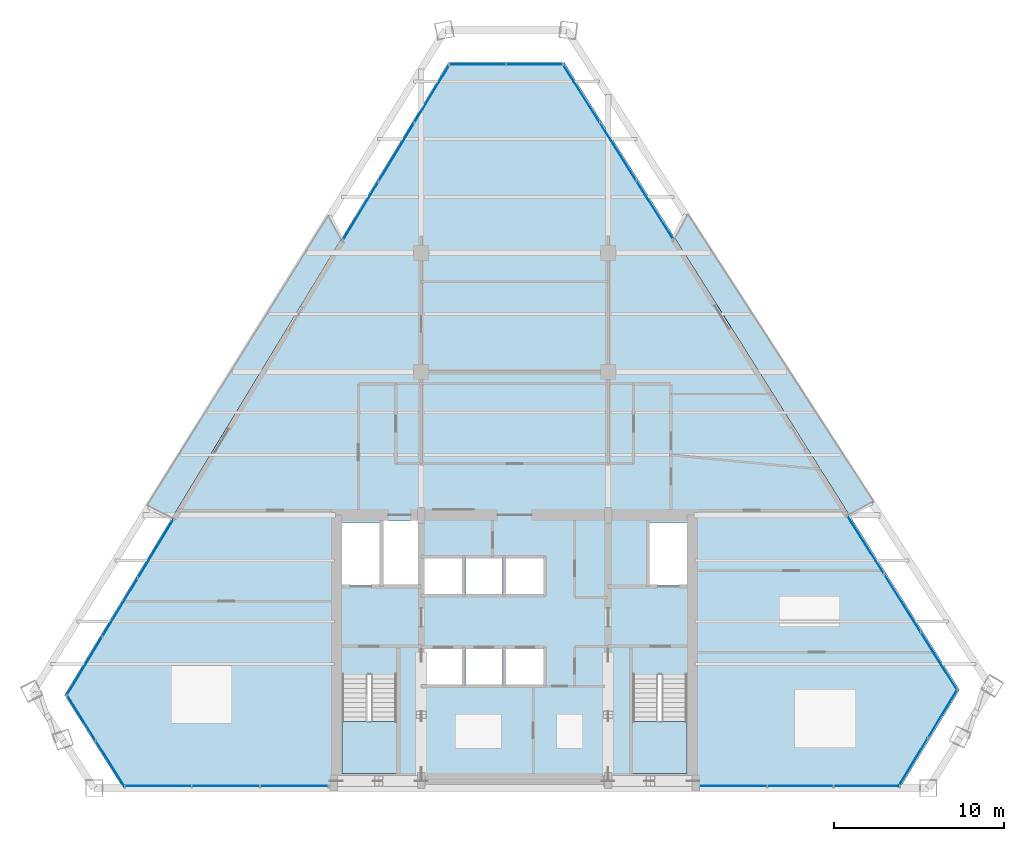
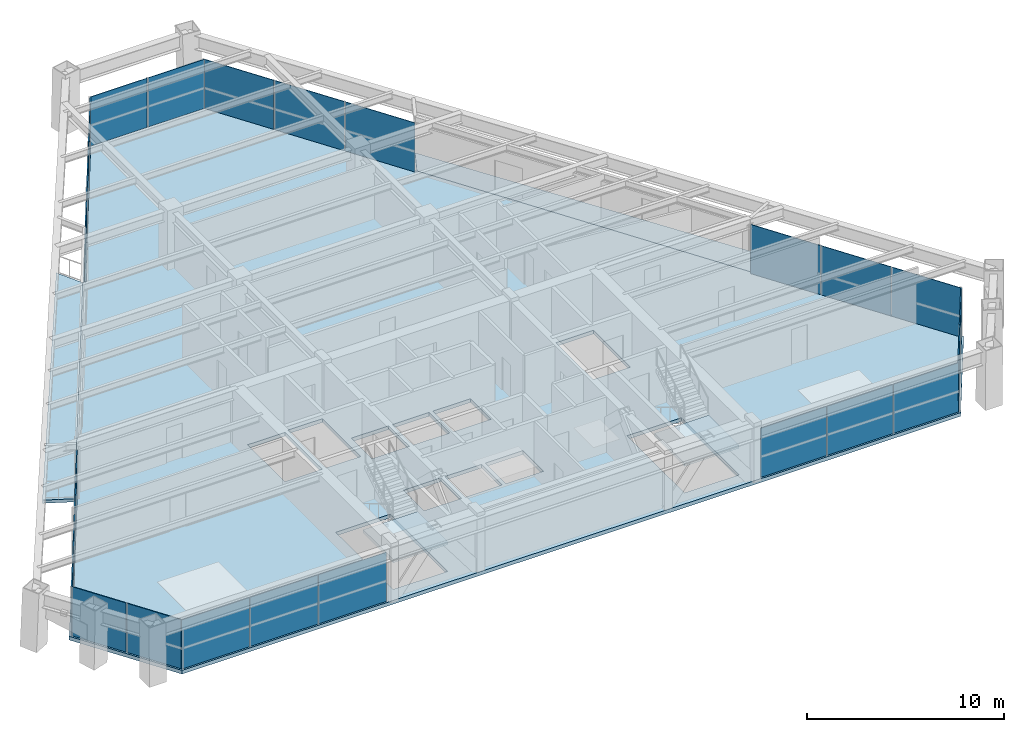
# One storey, part 7 of 12: 24 plates, 5 slabs, 11 elements without a shape of their own.
"""IFC4 building model written with IfcOpenShell, lengths in metres."""

from ifc_helpers import new_model, si_unit, direction, frame, origin, origin_2d, place, context, subcontext, project, spatial, polyline, rectangle, outline, extrude, source, transform, mapped, material, layer, layer_set, type_object, element, aggregate, save


model = new_model("IFC4")

# Units and contexts
model_context = context("Model", 3, precision=1e-05, world=origin(), true_north=direction((0.0, 1.0)))
body_context = subcontext(model_context, "Body", "Model", "MODEL_VIEW")
ifc_project = project(units=[si_unit("LENGTHUNIT", "METRE"), si_unit("AREAUNIT", "SQUARE_METRE"), si_unit("VOLUMEUNIT", "CUBIC_METRE"), si_unit("PLANEANGLEUNIT", "RADIAN"), si_unit("MASSUNIT", "GRAM", prefix="KILO")], contexts=[model_context])

# Site, building, storey
site_placement = place(None, origin())
site = spatial("IfcSite", under=ifc_project, at=site_placement, CompositionType="ELEMENT")
building_placement = place(site_placement, origin())
building = spatial("IfcBuilding", under=site, at=building_placement, Name="Varnakhor Terracotta Tower", CompositionType="ELEMENT")
storey_placement = place(building_placement, frame((0.0, 0.0, 208.0)))
storey = spatial("IfcBuildingStorey", under=building, at=storey_placement, Name="L53", CompositionType="ELEMENT", Elevation=208.0)

# Stair, slab
ifc_material_1 = material(Name="Concrete C40/50", Category="concrete")
stair_type = type_object("IfcStairType", Name="STR-CORE-OFFICE-1500", PredefinedType="HALF_TURN_STAIR", material=ifc_material_1)
stair_1_placement = place(storey_placement, origin())
stair_1 = element("IfcStair", 1, at=stair_1_placement, inside=storey, type_object=stair_type, Name="L53 Core Exit Stair ST-1", PredefinedType="HALF_TURN_STAIR")
ifc_layer_1 = layer(ifc_material_1, 0.179931640625, Name="Concrete C40/50")
ifc_layer_set_1 = layer_set([ifc_layer_1], Name="Concrete C40/50")
slab_type_1 = type_object("IfcSlabType", Name="SLB-LANDING-180", PredefinedType="LANDING", material=ifc_layer_set_1)
slab_1_placement = place(storey_placement, frame((0.0, 0.0, 1.64990234375)))
slab_1 = element("IfcSlab", 2, at=slab_1_placement, type_object=slab_type_1, Name="ST-1 landing 1", PredefinedType="LANDING", context=body_context, shape_type="SweptSolid", body=[
    extrude(outline(polyline([(-10.14990234375, 3.909912109375), (-10.14990234375, 0.85009765625), (-6.949951171875, 0.85009765625), (-6.949951171875, 3.909912109375), (-10.14990234375, 3.909912109375)])), origin(), (0.0, 0.0, 1.0), 0.2001953125),
])
aggregate(stair_1, [slab_1])

stair_2_placement = place(storey_placement, origin())
stair_2 = element("IfcStair", 3, at=stair_2_placement, inside=storey, type_object=stair_type, Name="L53 Core Exit Stair ST-2", PredefinedType="HALF_TURN_STAIR")
slab_2_placement = place(storey_placement, frame((0.0, 0.0, 1.64990234375)))
slab_2 = element("IfcSlab", 4, at=slab_2_placement, type_object=slab_type_1, Name="ST-2 landing 1", PredefinedType="LANDING", context=body_context, shape_type="SweptSolid", body=[
    extrude(outline(polyline([(6.949951171875, 3.909912109375), (6.949951171875, 0.85009765625), (10.14990234375, 0.85009765625), (10.14990234375, 3.909912109375), (6.949951171875, 3.909912109375)])), origin(), (0.0, 0.0, 1.0), 0.2001953125),
])
aggregate(stair_2, [slab_2])

# Slabs
ifc_layer_2 = layer(ifc_material_1, 0.195068359375, Name="Concrete C40/50")
ifc_layer_set_2 = layer_set([ifc_layer_2], Name="Concrete C40/50")
slab_type_2 = type_object("IfcSlabType", Name="SLB-LOGGIA-EXT-195", PredefinedType="FLOOR", material=ifc_layer_set_2)
slab_3_placement = place(storey_placement, frame((0.0, 0.0, -0.195068359375)))
element("IfcSlab", 5, at=slab_3_placement, inside=storey, type_object=slab_type_2, Name="L53 E Recessed Outdoor Loggia Slab", PredefinedType="FLOOR", context=body_context, shape_type="SweptSolid", body=[
    extrude(outline(polyline([(10.15966796875, 33.80908203125), (21.13330078125, 16.84033203125), (19.668701171875, 16.12158203125), (9.436279296875, 32.3662109375), (10.15966796875, 33.80908203125)])), origin(), (0.0, 0.0, 1.0), 0.195068359375),
])
slab_4_placement = place(storey_placement, frame((0.0, 0.0, -0.195068359375)))
element("IfcSlab", 6, at=slab_4_placement, inside=storey, type_object=slab_type_2, Name="L53 W Recessed Outdoor Loggia Slab", PredefinedType="FLOOR", context=body_context, shape_type="SweptSolid", body=[
    extrude(outline(polyline([(-21.642333984375, 16.614990234375), (-10.953857421875, 33.7216796875), (-10.226806640625, 32.2822265625), (-12.91796875, 27.848876953125), (-20.16796875, 15.906005859375), (-21.642333984375, 16.614990234375)])), origin(), (0.0, 0.0, 1.0), 0.195068359375),
])
ifc_layer_3 = layer(ifc_material_1, 0.22998046875, Name="Concrete C40/50")
ifc_layer_set_3 = layer_set([ifc_layer_3], Name="Concrete C40/50")
slab_type_3 = type_object("IfcSlabType", Name="SLB-OFF-230", PredefinedType="FLOOR", material=ifc_layer_set_3)
slab_5_placement = place(storey_placement, frame((0.0, 0.0, -0.22998046875)))
element("IfcSlab", 7, at=slab_5_placement, inside=storey, type_object=slab_type_3, Name="L53 Structural Floor Slab", PredefinedType="FLOOR", context=body_context, shape_type="SweptSolid", body=[
    extrude(outline(polyline([(-26.494384765625, 5.484619140625), (-3.900390625, 42.70361328125), (2.9248046875, 42.70361328125), (26.180419921875, 5.7841796875), (22.669189453125, 0.0), (-23.03955078125, 0.0), (-26.494384765625, 5.484619140625)]), holes=[polyline([(-6.949951171875, 0.85009765625), (-6.949951171875, 6.695068359375), (-10.14990234375, 6.695068359375), (-10.14990234375, 0.85009765625), (-6.949951171875, 0.85009765625)]), polyline([(-3.10009765625, 6.10009765625), (-3.10009765625, 8.199951171875), (-5.300048828125, 8.199951171875), (-5.300048828125, 6.10009765625), (-3.10009765625, 6.10009765625)]), polyline([(-0.719970703125, 6.10009765625), (-0.719970703125, 8.199951171875), (-2.8798828125, 8.199951171875), (-2.8798828125, 6.10009765625), (-0.719970703125, 6.10009765625)]), polyline([(-5.300048828125, 11.419921875), (-3.10009765625, 11.419921875), (-3.10009765625, 13.52001953125), (-5.300048828125, 13.52001953125), (-5.300048828125, 11.419921875)]), polyline([(-10.14990234375, 11.8798828125), (-7.949951171875, 11.8798828125), (-7.949951171875, 15.64990234375), (-10.14990234375, 15.64990234375), (-10.14990234375, 11.8798828125)]), polyline([(-5.699951171875, 11.8798828125), (-5.699951171875, 15.75), (-7.72998046875, 15.75), (-7.72998046875, 11.8798828125), (-5.699951171875, 11.8798828125)]), polyline([(6.949951171875, 0.85009765625), (10.14990234375, 0.85009765625), (10.14990234375, 6.695068359375), (6.949951171875, 6.695068359375), (6.949951171875, 0.85009765625)]), polyline([(-0.5, 6.10009765625), (1.699951171875, 6.10009765625), (1.699951171875, 8.199951171875), (-0.5, 8.199951171875), (-0.5, 6.10009765625)]), polyline([(-0.719970703125, 11.419921875), (-0.719970703125, 13.52001953125), (-2.8798828125, 13.52001953125), (-2.8798828125, 11.419921875), (-0.719970703125, 11.419921875)]), polyline([(-0.5, 11.419921875), (1.699951171875, 11.419921875), (1.699951171875, 13.52001953125), (-0.5, 13.52001953125), (-0.5, 11.419921875)]), polyline([(7.949951171875, 11.8798828125), (10.14990234375, 11.8798828125), (10.14990234375, 15.64990234375), (7.949951171875, 15.64990234375), (7.949951171875, 11.8798828125)])]), origin(), (0.0, 0.0, 1.0), 0.22998046875),
])

# Curtain wall, plates
ifc_material_2 = material(Name="Anodised Aluminium Curtain Wall System", Category="aluminium")
curtain_wall_type = type_object("IfcCurtainWallType", Name="CW-SYS-MID-OFFICE", PredefinedType="NOTDEFINED", material=ifc_material_2)
curtain_wall_1_placement = place(storey_placement, origin())
curtain_wall_1 = element("IfcCurtainWall", 8, at=curtain_wall_1_placement, inside=storey, type_object=curtain_wall_type, Name="L53 W Facet Curtain Wall 1", PredefinedType="NOTDEFINED")
ifc_material_3 = material(Name="Solar-Control Low-E Insulated Glass Panel", Category="glass")
ifc_layer_4 = layer(ifc_material_3, 0.035888671875, Name="Solar-Control Low-E Insulated Glass Panel")
ifc_layer_set_4 = layer_set([ifc_layer_4], Name="Solar-Control Low-E Insulated Glass Panel")
plate_type = type_object("IfcPlateType", Name="CWP-03", PredefinedType="CURTAIN_PANEL", material=ifc_layer_set_4)
shared_shape_1 = source(origin(), body_context, "Body", "SweptSolid", [
    extrude(rectangle(XDim=4.00390625, YDim=0.035888671875, at=origin_2d()), origin(), (0.0, 0.0, 1.0), 3.050048828125),
])
plate_1_placement = place(storey_placement, frame((-23.228515625, 10.633056640625, 0.0), z_axis=(0.0, 0.0, 1.0), x_axis=(0.518922460528, 0.854821314638, 0.0)))
plate_1 = element("IfcPlate", 9, at=plate_1_placement, type_object=plate_type, Name="L53 W Facet Curtain Wall 1 Glazed Panel 2", PredefinedType="CURTAIN_PANEL", context=body_context, shape_type="MappedRepresentation", body=[
    mapped(shared_shape_1, transform((0.0, 0.0, 0.0), scale=1.0)),
])
plate_2_placement = place(storey_placement, frame((-21.130126953125, 14.089599609375, 0.0), z_axis=(0.0, 0.0, 1.0), x_axis=(0.518922460528, 0.854821314638, 0.0)))
plate_2 = element("IfcPlate", 10, at=plate_2_placement, type_object=plate_type, Name="L53 W Facet Curtain Wall 1 Glazed Panel 3", PredefinedType="CURTAIN_PANEL", context=body_context, shape_type="MappedRepresentation", body=[
    mapped(shared_shape_1, transform((0.0, 0.0, 0.0), scale=1.0)),
])

curtain_wall_2_placement = place(storey_placement, origin())
curtain_wall_2 = element("IfcCurtainWall", 11, at=curtain_wall_2_placement, inside=storey, type_object=curtain_wall_type, Name="L53 W Facet Curtain Wall 2", PredefinedType="NOTDEFINED")
plate_3_placement = place(storey_placement, frame((-6.9609375, 37.430419921875, 0.0), z_axis=(0.0, 0.0, 1.0), x_axis=(0.518922460528, 0.854821314638, 0.0)))
plate_3 = element("IfcPlate", 12, at=plate_3_placement, type_object=plate_type, Name="L53 W Facet Curtain Wall 2 Glazed Panel 2", PredefinedType="CURTAIN_PANEL", context=body_context, shape_type="MappedRepresentation", body=[
    mapped(shared_shape_1, transform((0.0, 0.0, 0.0), scale=1.0)),
])
plate_4_placement = place(storey_placement, frame((-4.862548828125, 40.88720703125, 0.0), z_axis=(0.0, 0.0, 1.0), x_axis=(0.518922460528, 0.854821314638, 0.0)))
plate_4 = element("IfcPlate", 13, at=plate_4_placement, type_object=plate_type, Name="L53 W Facet Curtain Wall 2 Glazed Panel 3", PredefinedType="CURTAIN_PANEL", context=body_context, shape_type="MappedRepresentation", body=[
    mapped(shared_shape_1, transform((0.0, 0.0, 0.0), scale=1.0)),
])

# Plate
shared_shape_2 = source(origin(), body_context, "Body", "SweptSolid", [
    extrude(rectangle(XDim=4.003662109375, YDim=0.035888671875, at=origin_2d()), origin(), (0.0, 0.0, 1.0), 3.050048828125),
])
plate_5_placement = place(storey_placement, frame((-25.326904296875, 7.17626953125, 0.0), z_axis=(0.0, 0.0, 1.0), x_axis=(0.518922460528, 0.854821314638, 0.0)))
plate_5 = element("IfcPlate", 14, at=plate_5_placement, type_object=plate_type, Name="L53 W Facet Curtain Wall 1 Glazed Panel 1", PredefinedType="CURTAIN_PANEL", context=body_context, shape_type="MappedRepresentation", body=[
    mapped(shared_shape_2, transform((0.0, 0.0, 0.0), scale=1.0)),
])

aggregate(curtain_wall_1, [plate_5, plate_1, plate_2])

plate_6_placement = place(storey_placement, frame((-9.059326171875, 33.973876953125, 0.0), z_axis=(0.0, 0.0, 1.0), x_axis=(0.518922460528, 0.854821314638, 0.0)))
plate_6 = element("IfcPlate", 15, at=plate_6_placement, type_object=plate_type, Name="L53 W Facet Curtain Wall 2 Glazed Panel 1", PredefinedType="CURTAIN_PANEL", context=body_context, shape_type="MappedRepresentation", body=[
    mapped(shared_shape_2, transform((0.0, 0.0, 0.0), scale=1.0)),
])

aggregate(curtain_wall_2, [plate_6, plate_3, plate_4])

# Curtain wall, plates
curtain_wall_3_placement = place(storey_placement, origin())
curtain_wall_3 = element("IfcCurtainWall", 16, at=curtain_wall_3_placement, inside=storey, type_object=curtain_wall_type, Name="L53 Facet Curtain Wall 2", PredefinedType="NOTDEFINED")
shared_shape_3 = source(origin(), body_context, "Body", "SweptSolid", [
    extrude(rectangle(XDim=3.342529296875, YDim=0.035888671875, at=origin_2d()), origin(), (0.0, 0.0, 1.0), 3.050048828125),
])
plate_7_placement = place(storey_placement, frame((-2.17919921875, 42.58349609375, 0.0), z_axis=(0.0, 0.0, 1.0), x_axis=(1.0, 0.0, 0.0)))
plate_7 = element("IfcPlate", 17, at=plate_7_placement, type_object=plate_type, Name="L53 Facet Curtain Wall 2 Glazed Panel 1", PredefinedType="CURTAIN_PANEL", context=body_context, shape_type="MappedRepresentation", body=[
    mapped(shared_shape_3, transform((0.0, 0.0, 0.0), scale=1.0)),
])
plate_8_placement = place(storey_placement, frame((1.203369140625, 42.58349609375, 0.0), z_axis=(0.0, 0.0, 1.0), x_axis=(1.0, 0.0, 0.0)))
plate_8 = element("IfcPlate", 18, at=plate_8_placement, type_object=plate_type, Name="L53 Facet Curtain Wall 2 Glazed Panel 2", PredefinedType="CURTAIN_PANEL", context=body_context, shape_type="MappedRepresentation", body=[
    mapped(shared_shape_3, transform((0.0, 0.0, 0.0), scale=1.0)),
])
aggregate(curtain_wall_3, [plate_7, plate_8])

curtain_wall_4_placement = place(storey_placement, origin())
curtain_wall_4 = element("IfcCurtainWall", 19, at=curtain_wall_4_placement, inside=storey, type_object=curtain_wall_type, Name="L53 E Facet Curtain Wall 1", PredefinedType="NOTDEFINED")
shared_shape_4 = source(origin(), body_context, "Body", "SweptSolid", [
    extrude(rectangle(XDim=4.012451171875, YDim=0.035888671875, at=origin_2d()), origin(), (0.0, 0.0, 1.0), 3.050048828125),
])
plate_9_placement = place(storey_placement, frame((3.919189453125, 40.899658203125, 0.0), z_axis=(0.0, 0.0, 1.0), x_axis=(0.532979654092, -0.846128056694, 0.0)))
plate_9 = element("IfcPlate", 20, at=plate_9_placement, type_object=plate_type, Name="L53 E Facet Curtain Wall 1 Glazed Panel 1", PredefinedType="CURTAIN_PANEL", context=body_context, shape_type="MappedRepresentation", body=[
    mapped(shared_shape_4, transform((0.0, 0.0, 0.0), scale=1.0)),
])
plate_10_placement = place(storey_placement, frame((6.078857421875, 37.470703125, 0.0), z_axis=(0.0, 0.0, 1.0), x_axis=(0.532979654092, -0.846128056694, 0.0)))
plate_10 = element("IfcPlate", 21, at=plate_10_placement, type_object=plate_type, Name="L53 E Facet Curtain Wall 1 Glazed Panel 2", PredefinedType="CURTAIN_PANEL", context=body_context, shape_type="MappedRepresentation", body=[
    mapped(shared_shape_4, transform((0.0, 0.0, 0.0), scale=1.0)),
])
plate_11_placement = place(storey_placement, frame((8.23876953125, 34.0419921875, 0.0), z_axis=(0.0, 0.0, 1.0), x_axis=(0.532979654092, -0.846128056694, 0.0)))
plate_11 = element("IfcPlate", 22, at=plate_11_placement, type_object=plate_type, Name="L53 E Facet Curtain Wall 1 Glazed Panel 3", PredefinedType="CURTAIN_PANEL", context=body_context, shape_type="MappedRepresentation", body=[
    mapped(shared_shape_4, transform((0.0, 0.0, 0.0), scale=1.0)),
])
aggregate(curtain_wall_4, [plate_9, plate_10, plate_11])

curtain_wall_5_placement = place(storey_placement, origin())
curtain_wall_5 = element("IfcCurtainWall", 23, at=curtain_wall_5_placement, inside=storey, type_object=curtain_wall_type, Name="L53 E Facet Curtain Wall 2", PredefinedType="NOTDEFINED")
plate_12_placement = place(storey_placement, frame((20.6630859375, 14.31787109375, 0.0), z_axis=(0.0, 0.0, 1.0), x_axis=(0.532979654092, -0.846128056694, 0.0)))
plate_12 = element("IfcPlate", 24, at=plate_12_placement, type_object=plate_type, Name="L53 E Facet Curtain Wall 2 Glazed Panel 1", PredefinedType="CURTAIN_PANEL", context=body_context, shape_type="MappedRepresentation", body=[
    mapped(shared_shape_4, transform((0.0, 0.0, 0.0), scale=1.0)),
])
plate_13_placement = place(storey_placement, frame((22.822998046875, 10.888916015625, 0.0), z_axis=(0.0, 0.0, 1.0), x_axis=(0.532979654092, -0.846128056694, 0.0)))
plate_13 = element("IfcPlate", 25, at=plate_13_placement, type_object=plate_type, Name="L53 E Facet Curtain Wall 2 Glazed Panel 2", PredefinedType="CURTAIN_PANEL", context=body_context, shape_type="MappedRepresentation", body=[
    mapped(shared_shape_4, transform((0.0, 0.0, 0.0), scale=1.0)),
])
plate_14_placement = place(storey_placement, frame((24.98291015625, 7.4599609375, 0.0), z_axis=(0.0, 0.0, 1.0), x_axis=(0.532979654092, -0.846128056694, 0.0)))
plate_14 = element("IfcPlate", 26, at=plate_14_placement, type_object=plate_type, Name="L53 E Facet Curtain Wall 2 Glazed Panel 3", PredefinedType="CURTAIN_PANEL", context=body_context, shape_type="MappedRepresentation", body=[
    mapped(shared_shape_4, transform((0.0, 0.0, 0.0), scale=1.0)),
])
aggregate(curtain_wall_5, [plate_12, plate_13, plate_14])

curtain_wall_6_placement = place(storey_placement, origin())
curtain_wall_6 = element("IfcCurtainWall", 27, at=curtain_wall_6_placement, inside=storey, type_object=curtain_wall_type, Name="L53 Facet Curtain Wall 4", PredefinedType="NOTDEFINED")
shared_shape_5 = source(origin(), body_context, "Body", "SweptSolid", [
    extrude(rectangle(XDim=3.313232421875, YDim=0.035888671875, at=origin_2d()), origin(), (0.0, 0.0, 1.0), 3.050048828125),
])
plate_15_placement = place(storey_placement, frame((25.1923828125, 4.387451171875, 0.0), z_axis=(0.0, 0.0, 1.0), x_axis=(-0.518922460528, -0.854821314638, 0.0)))
plate_15 = element("IfcPlate", 28, at=plate_15_placement, type_object=plate_type, Name="L53 Facet Curtain Wall 4 Glazed Panel 1", PredefinedType="CURTAIN_PANEL", context=body_context, shape_type="MappedRepresentation", body=[
    mapped(shared_shape_5, transform((0.0, 0.0, 0.0), scale=1.0)),
])
plate_16_placement = place(storey_placement, frame((23.4521484375, 1.52099609375, 0.0), z_axis=(0.0, 0.0, 1.0), x_axis=(-0.518922460528, -0.854821314638, 0.0)))
plate_16 = element("IfcPlate", 29, at=plate_16_placement, type_object=plate_type, Name="L53 Facet Curtain Wall 4 Glazed Panel 2", PredefinedType="CURTAIN_PANEL", context=body_context, shape_type="MappedRepresentation", body=[
    mapped(shared_shape_5, transform((0.0, 0.0, 0.0), scale=1.0)),
])
aggregate(curtain_wall_6, [plate_15, plate_16])

curtain_wall_7_placement = place(storey_placement, origin())
curtain_wall_7 = element("IfcCurtainWall", 30, at=curtain_wall_7_placement, inside=storey, type_object=curtain_wall_type, Name="L53 South Wing Curtain Wall SSE", PredefinedType="NOTDEFINED")
shared_shape_6 = source(origin(), body_context, "Body", "SweptSolid", [
    extrude(rectangle(XDim=3.8564453125, YDim=0.035888671875, at=origin_2d()), origin(), (0.0, 0.0, 1.0), 3.050048828125),
])
plate_17_placement = place(storey_placement, frame((20.7109375, 0.1201171875, 0.0), z_axis=(0.0, 0.0, 1.0), x_axis=(-1.0, 0.0, 0.0)))
plate_17 = element("IfcPlate", 31, at=plate_17_placement, type_object=plate_type, Name="L53 South Wing Curtain Wall SSE Glazed Panel 1", PredefinedType="CURTAIN_PANEL", context=body_context, shape_type="MappedRepresentation", body=[
    mapped(shared_shape_6, transform((0.0, 0.0, 0.0), scale=1.0)),
])
plate_18_placement = place(storey_placement, frame((12.918212890625, 0.1201171875, 0.0), z_axis=(0.0, 0.0, 1.0), x_axis=(-1.0, 0.0, 0.0)))
plate_18 = element("IfcPlate", 32, at=plate_18_placement, type_object=plate_type, Name="L53 South Wing Curtain Wall SSE Glazed Panel 3", PredefinedType="CURTAIN_PANEL", context=body_context, shape_type="MappedRepresentation", body=[
    mapped(shared_shape_6, transform((0.0, 0.0, 0.0), scale=1.0)),
])
shared_shape_7 = source(origin(), body_context, "Body", "SweptSolid", [
    extrude(rectangle(XDim=3.856201171875, YDim=0.035888671875, at=origin_2d()), origin(), (0.0, 0.0, 1.0), 3.050048828125),
])
plate_19_placement = place(storey_placement, frame((16.814697265625, 0.1201171875, 0.0), z_axis=(0.0, 0.0, 1.0), x_axis=(-1.0, 0.0, 0.0)))
plate_19 = element("IfcPlate", 33, at=plate_19_placement, type_object=plate_type, Name="L53 South Wing Curtain Wall SSE Glazed Panel 2", PredefinedType="CURTAIN_PANEL", context=body_context, shape_type="MappedRepresentation", body=[
    mapped(shared_shape_7, transform((0.0, 0.0, 0.0), scale=1.0)),
])
aggregate(curtain_wall_7, [plate_17, plate_19, plate_18])

curtain_wall_8_placement = place(storey_placement, origin())
curtain_wall_8 = element("IfcCurtainWall", 34, at=curtain_wall_8_placement, inside=storey, type_object=curtain_wall_type, Name="L53 South Wing Curtain Wall SSW", PredefinedType="NOTDEFINED")
shared_shape_8 = source(origin(), body_context, "Body", "SweptSolid", [
    extrude(rectangle(XDim=3.97998046875, YDim=0.035888671875, at=origin_2d()), origin(), (0.0, 0.0, 1.0), 3.050048828125),
])
plate_20_placement = place(storey_placement, frame((-12.97998046875, 0.1201171875, 0.0), z_axis=(0.0, 0.0, 1.0), x_axis=(-1.0, 0.0, 0.0)))
plate_20 = element("IfcPlate", 35, at=plate_20_placement, type_object=plate_type, Name="L53 South Wing Curtain Wall SSW Glazed Panel 1", PredefinedType="CURTAIN_PANEL", context=body_context, shape_type="MappedRepresentation", body=[
    mapped(shared_shape_8, transform((0.0, 0.0, 0.0), scale=1.0)),
])
plate_21_placement = place(storey_placement, frame((-21.01953125, 0.1201171875, 0.0), z_axis=(0.0, 0.0, 1.0), x_axis=(-1.0, 0.0, 0.0)))
plate_21 = element("IfcPlate", 36, at=plate_21_placement, type_object=plate_type, Name="L53 South Wing Curtain Wall SSW Glazed Panel 3", PredefinedType="CURTAIN_PANEL", context=body_context, shape_type="MappedRepresentation", body=[
    mapped(shared_shape_8, transform((0.0, 0.0, 0.0), scale=1.0)),
])
shared_shape_9 = source(origin(), body_context, "Body", "SweptSolid", [
    extrude(rectangle(XDim=3.979736328125, YDim=0.035888671875, at=origin_2d()), origin(), (0.0, 0.0, 1.0), 3.050048828125),
])
plate_22_placement = place(storey_placement, frame((-16.999755859375, 0.1201171875, 0.0), z_axis=(0.0, 0.0, 1.0), x_axis=(-1.0, 0.0, 0.0)))
plate_22 = element("IfcPlate", 37, at=plate_22_placement, type_object=plate_type, Name="L53 South Wing Curtain Wall SSW Glazed Panel 2", PredefinedType="CURTAIN_PANEL", context=body_context, shape_type="MappedRepresentation", body=[
    mapped(shared_shape_9, transform((0.0, 0.0, 0.0), scale=1.0)),
])
aggregate(curtain_wall_8, [plate_20, plate_22, plate_21])

curtain_wall_9_placement = place(storey_placement, origin())
curtain_wall_9 = element("IfcCurtainWall", 38, at=curtain_wall_9_placement, inside=storey, type_object=curtain_wall_type, Name="L53 Facet Curtain Wall 6", PredefinedType="NOTDEFINED")
shared_shape_10 = source(origin(), body_context, "Body", "SweptSolid", [
    extrude(rectangle(XDim=3.1708984375, YDim=0.035888671875, at=origin_2d()), origin(), (0.0, 0.0, 1.0), 3.050048828125),
])
plate_23_placement = place(storey_placement, frame((-23.809814453125, 1.44775390625, 0.0), z_axis=(0.0, 0.0, 1.0), x_axis=(-0.53296488629, 0.846137358815, 0.0)))
plate_23 = element("IfcPlate", 39, at=plate_23_placement, type_object=plate_type, Name="L53 Facet Curtain Wall 6 Glazed Panel 1", PredefinedType="CURTAIN_PANEL", context=body_context, shape_type="MappedRepresentation", body=[
    mapped(shared_shape_10, transform((0.0, 0.0, 0.0), scale=1.0)),
])
plate_24_placement = place(storey_placement, frame((-25.52099609375, 4.164794921875, 0.0), z_axis=(0.0, 0.0, 1.0), x_axis=(-0.53296488629, 0.846137358815, 0.0)))
plate_24 = element("IfcPlate", 40, at=plate_24_placement, type_object=plate_type, Name="L53 Facet Curtain Wall 6 Glazed Panel 2", PredefinedType="CURTAIN_PANEL", context=body_context, shape_type="MappedRepresentation", body=[
    mapped(shared_shape_10, transform((0.0, 0.0, 0.0), scale=1.0)),
])
aggregate(curtain_wall_9, [plate_23, plate_24])

save(model, "model.ifc")
